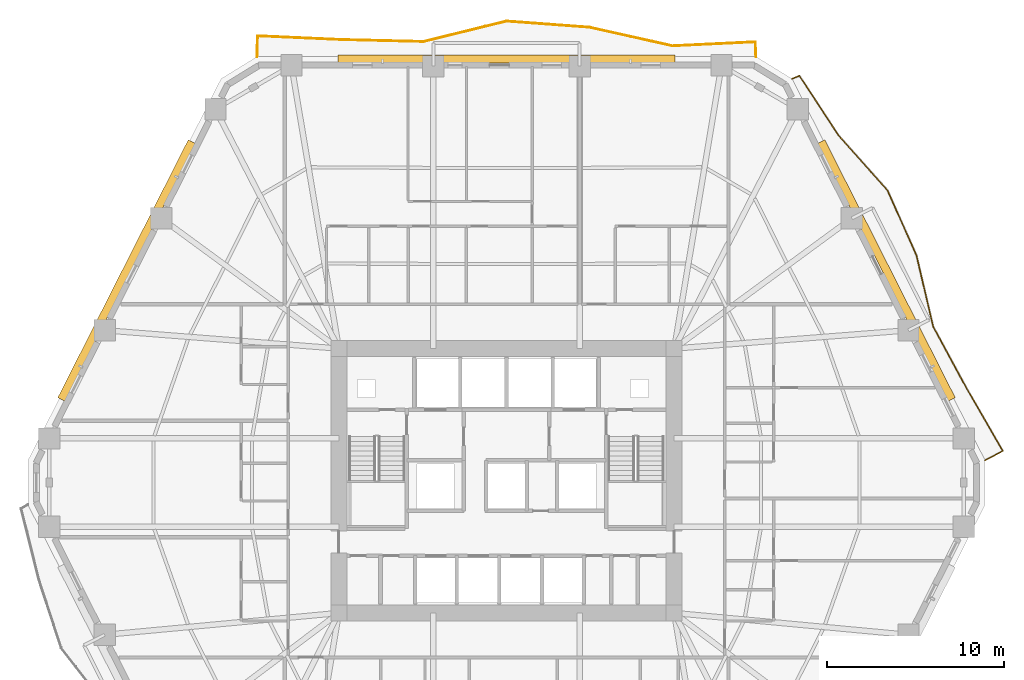
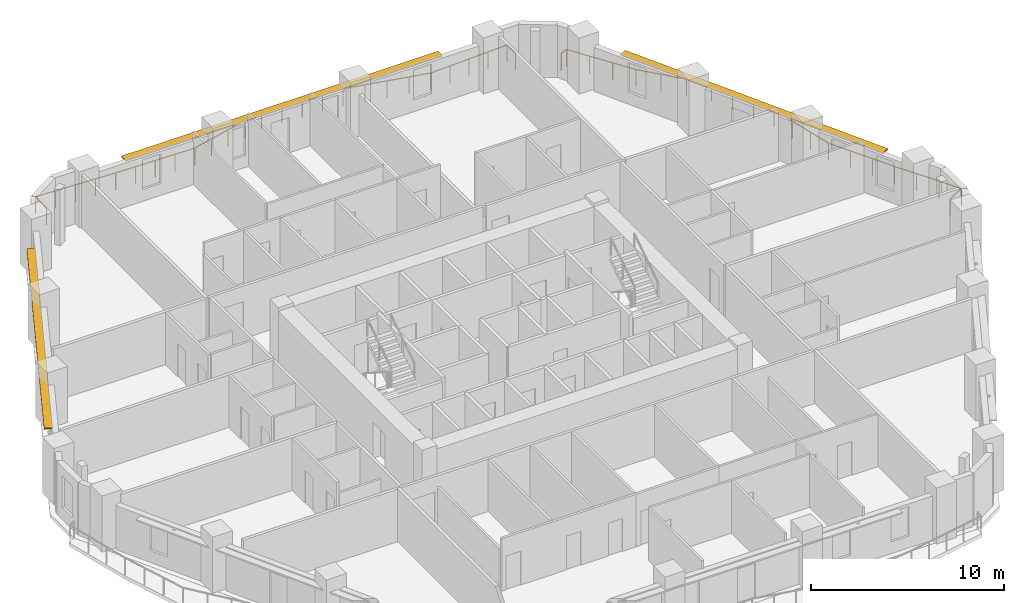
# One storey, part 14 of 14: 3 shading devices, 2 railings.
"""IFC4 building model written with IfcOpenShell, lengths in metres."""

from ifc_helpers import new_model, si_unit, direction, frame, origin, origin_2d, place, context, subcontext, project, spatial, rectangle, extrude, material, layer, layer_set, type_object, element, save


model = new_model("IFC4")

# Units and contexts
model_context = context("Model", 3, precision=1e-05, world=origin(), true_north=direction((0.0, 1.0)))
body_context = subcontext(model_context, "Body", "Model", "MODEL_VIEW")
ifc_project = project(units=[si_unit("LENGTHUNIT", "METRE"), si_unit("AREAUNIT", "SQUARE_METRE"), si_unit("VOLUMEUNIT", "CUBIC_METRE"), si_unit("PLANEANGLEUNIT", "RADIAN"), si_unit("MASSUNIT", "GRAM", prefix="KILO")], contexts=[model_context])

# Site, building, storey
site_placement = place(None, origin())
site = spatial("IfcSite", under=ifc_project, at=site_placement, CompositionType="ELEMENT")
building_placement = place(site_placement, origin())
building = spatial("IfcBuilding", under=site, at=building_placement, Name="Cinnabar Lancet Tower", CompositionType="ELEMENT")
storey_placement = place(building_placement, frame((0.0, 0.0, 67.5)))
storey = spatial("IfcBuildingStorey", under=building, at=storey_placement, Name="L17", CompositionType="ELEMENT", Elevation=67.5)

# Railings
ifc_material_1 = material(Name="Laminated safety glass and bronze stainless steel balustrade", Category="steel")
railing_type = type_object("IfcRailingType", Name="ENV-RLG-BAL-1100", PredefinedType="BALUSTRADE", material=ifc_material_1)
railing_1_placement = place(storey_placement, frame((59.367919921875, 27.049072265625, 0.0)))
element("IfcRailing", 1, at=railing_1_placement, inside=storey, type_object=railing_type, Name="L17 Face 3 Wave Balcony Balustrade", PredefinedType="BALUSTRADE", context=body_context, shape_type="SweptSolid", body=[
    extrude(rectangle(XDim=0.048095703125, YDim=0.048095703125, at=origin_2d()), frame((0.0, 0.0, 1.076171875), z_axis=(0.880977728847, 0.473157734034, 0.0), x_axis=(-0.473157734034, 0.880977728847, 0.0)), (0.0, 0.0, 1.0), 1.12841796875),
    extrude(rectangle(XDim=0.048095703125, YDim=0.048095703125, at=origin_2d()), frame((0.994140625, 0.533935546875, 1.076171875), z_axis=(-0.500501524686, 0.865735654682, 0.0), x_axis=(-0.865735654682, -0.500501524686, 0.0)), (0.0, 0.0, 1.0), 4.01416015625),
    extrude(rectangle(XDim=0.048095703125, YDim=0.048095703125, at=origin_2d()), frame((-1.014892578125, 4.009033203125, 1.076171875), z_axis=(-0.477126816726, 0.878834455834, 0.0), x_axis=(-0.878834455834, -0.477126816726, 0.0)), (0.0, 0.0, 1.0), 4.007568359375),
    extrude(rectangle(XDim=0.048095703125, YDim=0.048095703125, at=origin_2d()), frame((-2.927001953125, 7.531005859375, 1.076171875), z_axis=(-0.228055330585, 0.973648173722, 0.0), x_axis=(-0.973648173722, -0.228055330585, 0.0)), (0.0, 0.0, 1.0), 4.12158203125),
    extrude(rectangle(XDim=0.048095703125, YDim=0.048095703125, at=origin_2d()), frame((-3.866943359375, 11.5439453125, 1.076171875), z_axis=(-0.406635435525, 0.91359051143, 0.0), x_axis=(-0.91359051143, -0.406635435525, 0.0)), (0.0, 0.0, 1.0), 4.010498046875),
    extrude(rectangle(XDim=0.048095703125, YDim=0.048095703125, at=origin_2d()), frame((-5.497802734375, 15.2080078125, 1.076171875), z_axis=(-0.66579922451, 0.746130948723, 0.0), x_axis=(-0.746130948723, -0.66579922451, 0.0)), (0.0, 0.0, 1.0), 4.1455078125),
    extrude(rectangle(XDim=0.048095703125, YDim=0.048095703125, at=origin_2d()), frame((-8.2578125, 18.301025390625, 1.076171875), z_axis=(-0.548271599626, 0.836300336628, 0.0), x_axis=(-0.836300336628, -0.548271599626, 0.0)), (0.0, 0.0, 1.0), 4.032958984375),
    extrude(rectangle(XDim=0.048095703125, YDim=0.048095703125, at=origin_2d()), frame((-10.468994140625, 21.673828125, 1.076171875), z_axis=(-0.92254085087, -0.385899440887, 0.0), x_axis=(0.385899440887, -0.92254085087, 0.0)), (0.0, 0.0, 1.0), 0.4453125),
    extrude(rectangle(XDim=0.0419921875, YDim=0.0419921875, at=origin_2d()), origin(), (0.0, 0.0, 1.0), 1.052001953125),
    extrude(rectangle(XDim=0.0419921875, YDim=0.0419921875, at=origin_2d()), frame((0.994140625, 0.533935546875, 0.0)), (0.0, 0.0, 1.0), 1.052001953125),
    extrude(rectangle(XDim=0.0419921875, YDim=0.0419921875, at=origin_2d()), frame((0.324462890625, 1.6923828125, 0.0)), (0.0, 0.0, 1.0), 1.052001953125),
    extrude(rectangle(XDim=0.0419921875, YDim=0.0419921875, at=origin_2d()), frame((-0.34521484375, 2.8505859375, 0.0)), (0.0, 0.0, 1.0), 1.052001953125),
    extrude(rectangle(XDim=0.0419921875, YDim=0.0419921875, at=origin_2d()), frame((-1.014892578125, 4.009033203125, 0.0)), (0.0, 0.0, 1.0), 1.052001953125),
    extrude(rectangle(XDim=0.0419921875, YDim=0.0419921875, at=origin_2d()), frame((-1.65234375, 5.18310546875, 0.0)), (0.0, 0.0, 1.0), 1.052001953125),
    extrude(rectangle(XDim=0.0419921875, YDim=0.0419921875, at=origin_2d()), frame((-2.28955078125, 6.35693359375, 0.0)), (0.0, 0.0, 1.0), 1.052001953125),
    extrude(rectangle(XDim=0.0419921875, YDim=0.0419921875, at=origin_2d()), frame((-2.927001953125, 7.531005859375, 0.0)), (0.0, 0.0, 1.0), 1.052001953125),
    extrude(rectangle(XDim=0.0419921875, YDim=0.0419921875, at=origin_2d()), frame((-3.240234375, 8.86865234375, 0.0)), (0.0, 0.0, 1.0), 1.052001953125),
    extrude(rectangle(XDim=0.0419921875, YDim=0.0419921875, at=origin_2d()), frame((-3.5537109375, 10.206298828125, 0.0)), (0.0, 0.0, 1.0), 1.052001953125),
    extrude(rectangle(XDim=0.0419921875, YDim=0.0419921875, at=origin_2d()), frame((-3.866943359375, 11.5439453125, 0.0)), (0.0, 0.0, 1.0), 1.052001953125),
    extrude(rectangle(XDim=0.0419921875, YDim=0.0419921875, at=origin_2d()), frame((-4.41064453125, 12.765380859375, 0.0)), (0.0, 0.0, 1.0), 1.052001953125),
    extrude(rectangle(XDim=0.0419921875, YDim=0.0419921875, at=origin_2d()), frame((-4.9541015625, 13.986572265625, 0.0)), (0.0, 0.0, 1.0), 1.052001953125),
    extrude(rectangle(XDim=0.0419921875, YDim=0.0419921875, at=origin_2d()), frame((-5.497802734375, 15.2080078125, 0.0)), (0.0, 0.0, 1.0), 1.052001953125),
    extrude(rectangle(XDim=0.0419921875, YDim=0.0419921875, at=origin_2d()), frame((-6.417724609375, 16.239013671875, 0.0)), (0.0, 0.0, 1.0), 1.052001953125),
    extrude(rectangle(XDim=0.0419921875, YDim=0.0419921875, at=origin_2d()), frame((-7.337890625, 17.27001953125, 0.0)), (0.0, 0.0, 1.0), 1.052001953125),
    extrude(rectangle(XDim=0.0419921875, YDim=0.0419921875, at=origin_2d()), frame((-8.2578125, 18.301025390625, 0.0)), (0.0, 0.0, 1.0), 1.052001953125),
    extrude(rectangle(XDim=0.0419921875, YDim=0.0419921875, at=origin_2d()), frame((-8.994873046875, 19.42529296875, 0.0)), (0.0, 0.0, 1.0), 1.052001953125),
    extrude(rectangle(XDim=0.0419921875, YDim=0.0419921875, at=origin_2d()), frame((-9.73193359375, 20.549560546875, 0.0)), (0.0, 0.0, 1.0), 1.052001953125),
    extrude(rectangle(XDim=0.0419921875, YDim=0.0419921875, at=origin_2d()), frame((-10.468994140625, 21.673828125, 0.0)), (0.0, 0.0, 1.0), 1.052001953125),
    extrude(rectangle(XDim=0.0419921875, YDim=0.0419921875, at=origin_2d()), frame((-10.8798828125, 21.501953125, 0.0)), (0.0, 0.0, 1.0), 1.052001953125),
])
railing_2_placement = place(storey_placement, frame((46.4560546875, 49.800048828125, 0.0)))
element("IfcRailing", 2, at=railing_2_placement, inside=storey, type_object=railing_type, Name="L17 Face 4 Wave Balcony Balustrade", PredefinedType="BALUSTRADE", context=body_context, shape_type="SweptSolid", body=[
    extrude(rectangle(XDim=0.048095703125, YDim=0.048095703125, at=origin_2d()), frame((0.0, 0.0, 1.076171875), z_axis=(-0.041101669352, 0.99915496935, 0.0), x_axis=(-0.99915496935, -0.041101669352, 0.0)), (0.0, 0.0, 1.0), 0.82568359375),
    extrude(rectangle(XDim=0.048095703125, YDim=0.048095703125, at=origin_2d()), frame((-0.033935546875, 0.824951171875, 1.076171875), z_axis=(-0.998853341043, -0.047874869058, 0.0), x_axis=(0.047874869058, -0.998853341043, 0.0)), (0.0, 0.0, 1.0), 4.681396484375),
    extrude(rectangle(XDim=0.048095703125, YDim=0.048095703125, at=origin_2d()), frame((-4.7099609375, 0.600830078125, 1.076171875), z_axis=(-0.975769131011, 0.218802657583, 0.0), x_axis=(-0.218802657583, -0.975769131011, 0.0)), (0.0, 0.0, 1.0), 4.7900390625),
    extrude(rectangle(XDim=0.048095703125, YDim=0.048095703125, at=origin_2d()), frame((-9.384033203125, 1.64892578125, 1.076171875), z_axis=(-0.997285215977, 0.073635575596, 0.0), x_axis=(-0.073635575596, -0.997285215977, 0.0)), (0.0, 0.0, 1.0), 4.684814453125),
    extrude(rectangle(XDim=0.048095703125, YDim=0.048095703125, at=origin_2d()), frame((-14.05615234375, 1.993896484375, 1.076171875), z_axis=(-0.970925314243, -0.239382610399, 0.0), x_axis=(0.239382610399, -0.970925314243, 0.0)), (0.0, 0.0, 1.0), 4.811767578125),
    extrude(rectangle(XDim=0.048095703125, YDim=0.048095703125, at=origin_2d()), frame((-18.72802734375, 0.842041015625, 1.076171875), z_axis=(-0.999713975089, 0.023915852734, 0.0), x_axis=(-0.023915852734, -0.999713975089, 0.0)), (0.0, 0.0, 1.0), 4.67529296875),
    extrude(rectangle(XDim=0.048095703125, YDim=0.048095703125, at=origin_2d()), frame((-23.402099609375, 0.953857421875, 1.076171875), z_axis=(-0.999002773288, 0.044648168639, 0.0), x_axis=(-0.044648168639, -0.999002773288, 0.0)), (0.0, 0.0, 1.0), 4.6806640625),
    extrude(rectangle(XDim=0.048095703125, YDim=0.048095703125, at=origin_2d()), frame((-28.078125, 1.162841796875, 1.076171875), z_axis=(-0.029170868594, -0.999574439662, 0.0), x_axis=(0.999574439662, -0.029170868594, 0.0)), (0.0, 0.0, 1.0), 1.163330078125),
    extrude(rectangle(XDim=0.0419921875, YDim=0.0419921875, at=origin_2d()), origin(), (0.0, 0.0, 1.0), 1.052001953125),
    extrude(rectangle(XDim=0.0419921875, YDim=0.0419921875, at=origin_2d()), frame((-0.033935546875, 0.824951171875, 0.0)), (0.0, 0.0, 1.0), 1.052001953125),
    extrude(rectangle(XDim=0.0419921875, YDim=0.0419921875, at=origin_2d()), frame((-1.202880859375, 0.76904296875, 0.0)), (0.0, 0.0, 1.0), 1.052001953125),
    extrude(rectangle(XDim=0.0419921875, YDim=0.0419921875, at=origin_2d()), frame((-2.3720703125, 0.712890625, 0.0)), (0.0, 0.0, 1.0), 1.052001953125),
    extrude(rectangle(XDim=0.0419921875, YDim=0.0419921875, at=origin_2d()), frame((-3.541015625, 0.65673828125, 0.0)), (0.0, 0.0, 1.0), 1.052001953125),
    extrude(rectangle(XDim=0.0419921875, YDim=0.0419921875, at=origin_2d()), frame((-4.7099609375, 0.600830078125, 0.0)), (0.0, 0.0, 1.0), 1.052001953125),
    extrude(rectangle(XDim=0.0419921875, YDim=0.0419921875, at=origin_2d()), frame((-5.87841796875, 0.86279296875, 0.0)), (0.0, 0.0, 1.0), 1.052001953125),
    extrude(rectangle(XDim=0.0419921875, YDim=0.0419921875, at=origin_2d()), frame((-7.046875, 1.125, 0.0)), (0.0, 0.0, 1.0), 1.052001953125),
    extrude(rectangle(XDim=0.0419921875, YDim=0.0419921875, at=origin_2d()), frame((-8.215576171875, 1.386962890625, 0.0)), (0.0, 0.0, 1.0), 1.052001953125),
    extrude(rectangle(XDim=0.0419921875, YDim=0.0419921875, at=origin_2d()), frame((-9.384033203125, 1.64892578125, 0.0)), (0.0, 0.0, 1.0), 1.052001953125),
    extrude(rectangle(XDim=0.0419921875, YDim=0.0419921875, at=origin_2d()), frame((-10.552001953125, 1.735107421875, 0.0)), (0.0, 0.0, 1.0), 1.052001953125),
    extrude(rectangle(XDim=0.0419921875, YDim=0.0419921875, at=origin_2d()), frame((-11.72021484375, 1.8212890625, 0.0)), (0.0, 0.0, 1.0), 1.052001953125),
    extrude(rectangle(XDim=0.0419921875, YDim=0.0419921875, at=origin_2d()), frame((-12.88818359375, 1.90771484375, 0.0)), (0.0, 0.0, 1.0), 1.052001953125),
    extrude(rectangle(XDim=0.0419921875, YDim=0.0419921875, at=origin_2d()), frame((-14.05615234375, 1.993896484375, 0.0)), (0.0, 0.0, 1.0), 1.052001953125),
    extrude(rectangle(XDim=0.0419921875, YDim=0.0419921875, at=origin_2d()), frame((-15.22412109375, 1.7060546875, 0.0)), (0.0, 0.0, 1.0), 1.052001953125),
    extrude(rectangle(XDim=0.0419921875, YDim=0.0419921875, at=origin_2d()), frame((-16.39208984375, 1.41796875, 0.0)), (0.0, 0.0, 1.0), 1.052001953125),
    extrude(rectangle(XDim=0.0419921875, YDim=0.0419921875, at=origin_2d()), frame((-17.56005859375, 1.1298828125, 0.0)), (0.0, 0.0, 1.0), 1.052001953125),
    extrude(rectangle(XDim=0.0419921875, YDim=0.0419921875, at=origin_2d()), frame((-18.72802734375, 0.842041015625, 0.0)), (0.0, 0.0, 1.0), 1.052001953125),
    extrude(rectangle(XDim=0.0419921875, YDim=0.0419921875, at=origin_2d()), frame((-19.896484375, 0.8701171875, 0.0)), (0.0, 0.0, 1.0), 1.052001953125),
    extrude(rectangle(XDim=0.0419921875, YDim=0.0419921875, at=origin_2d()), frame((-21.06494140625, 0.89794921875, 0.0)), (0.0, 0.0, 1.0), 1.052001953125),
    extrude(rectangle(XDim=0.0419921875, YDim=0.0419921875, at=origin_2d()), frame((-22.233642578125, 0.92578125, 0.0)), (0.0, 0.0, 1.0), 1.052001953125),
    extrude(rectangle(XDim=0.0419921875, YDim=0.0419921875, at=origin_2d()), frame((-23.402099609375, 0.953857421875, 0.0)), (0.0, 0.0, 1.0), 1.052001953125),
    extrude(rectangle(XDim=0.0419921875, YDim=0.0419921875, at=origin_2d()), frame((-24.571044921875, 1.006103515625, 0.0)), (0.0, 0.0, 1.0), 1.052001953125),
    extrude(rectangle(XDim=0.0419921875, YDim=0.0419921875, at=origin_2d()), frame((-25.740234375, 1.058349609375, 0.0)), (0.0, 0.0, 1.0), 1.052001953125),
    extrude(rectangle(XDim=0.0419921875, YDim=0.0419921875, at=origin_2d()), frame((-26.9091796875, 1.110595703125, 0.0)), (0.0, 0.0, 1.0), 1.052001953125),
    extrude(rectangle(XDim=0.0419921875, YDim=0.0419921875, at=origin_2d()), frame((-28.078125, 1.162841796875, 0.0)), (0.0, 0.0, 1.0), 1.052001953125),
    extrude(rectangle(XDim=0.0419921875, YDim=0.0419921875, at=origin_2d()), frame((-28.112060546875, 0.0, 0.0)), (0.0, 0.0, 1.0), 1.052001953125),
])

# Shading devices
ifc_material_2 = material(Name="Pale limestone architectural aluminium sunshade", Category="masonry")
ifc_layer = layer(ifc_material_2, 0.080078125)
ifc_layer_set = layer_set([ifc_layer], Name="Pale limestone architectural aluminium sunshade")
shading_device_type = type_object("IfcShadingDeviceType", Name="ENV-SHD-LVR-450", PredefinedType="JALOUSIE", material=ifc_layer_set)
shading_device_1_placement = place(storey_placement, frame((53.81005859375, 37.743896484375, 2.639892578125), z_axis=(0.0, 0.0, 1.0), x_axis=(-0.451500573218, 0.892270829056, 0.0)))
element("IfcShadingDevice", 3, at=shading_device_1_placement, inside=storey, type_object=shading_device_type, Name="L17 Face 3 Horizontal Sunshade Canopy", PredefinedType="JALOUSIE", context=body_context, shape_type="SweptSolid", body=[
    extrude(rectangle(XDim=16.279052734375, YDim=0.449951171875, at=origin_2d()), origin(), (0.0, 0.0, 1.0), 0.080078125),
])
shading_device_2_placement = place(storey_placement, frame((32.39990234375, 49.669921875, 2.639892578125), z_axis=(0.0, 0.0, 1.0), x_axis=(-1.0, 0.0, 0.0)))
element("IfcShadingDevice", 4, at=shading_device_2_placement, inside=storey, type_object=shading_device_type, Name="L17 Face 4 Horizontal Sunshade Canopy", PredefinedType="JALOUSIE", context=body_context, shape_type="SweptSolid", body=[
    extrude(rectangle(XDim=18.993896484375, YDim=0.449951171875, at=origin_2d()), origin(), (0.0, 0.0, 1.0), 0.080078125),
])
shading_device_3_placement = place(storey_placement, frame((10.989990234375, 37.743896484375, 2.639892578125), z_axis=(0.0, 0.0, 1.0), x_axis=(-0.451500573218, -0.892270829056, 0.0)))
element("IfcShadingDevice", 5, at=shading_device_3_placement, inside=storey, type_object=shading_device_type, Name="L17 Face 5 Horizontal Sunshade Canopy", PredefinedType="JALOUSIE", context=body_context, shape_type="SweptSolid", body=[
    extrude(rectangle(XDim=16.279052734375, YDim=0.449951171875, at=origin_2d()), origin(), (0.0, 0.0, 1.0), 0.080078125),
])

save(model, "model.ifc")
